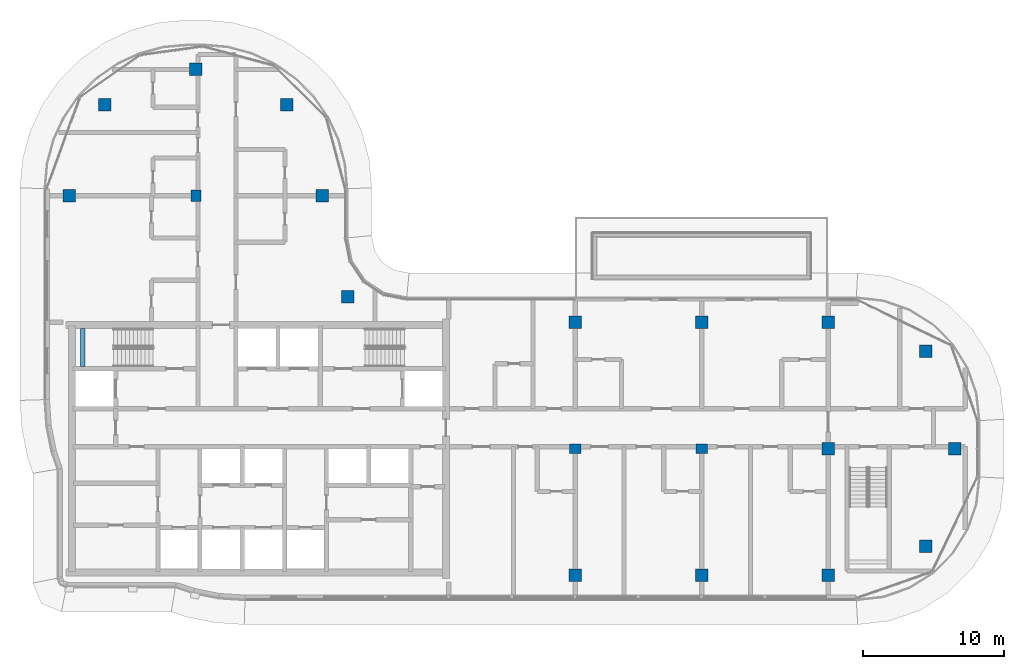
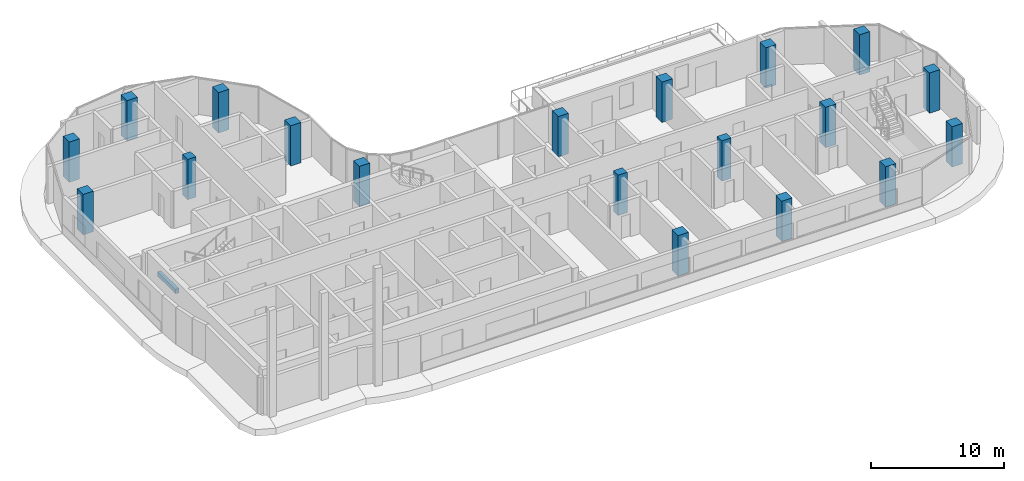
# One storey, part 1 of 20: 19 columns, 1 beam.
"""IFC4 building model written with IfcOpenShell, lengths in metres."""

from ifc_helpers import new_model, si_unit, direction, frame, origin, origin_2d, place, context, subcontext, project, spatial, rectangle, extrude, material, material_profile, profile_set, type_object, element, save


model = new_model("IFC4")

# Units and contexts
model_context = context("Model", 3, precision=1e-05, world=origin(), true_north=direction((0.0, 1.0)))
body_context = subcontext(model_context, "Body", "Model", "MODEL_VIEW")
ifc_project = project(units=[si_unit("LENGTHUNIT", "METRE"), si_unit("AREAUNIT", "SQUARE_METRE"), si_unit("VOLUMEUNIT", "CUBIC_METRE"), si_unit("PLANEANGLEUNIT", "RADIAN"), si_unit("MASSUNIT", "GRAM", prefix="KILO")], contexts=[model_context])

# Site, building, storey
site_placement = place(None, origin())
site = spatial("IfcSite", under=ifc_project, at=site_placement, CompositionType="ELEMENT")
building_placement = place(site_placement, origin())
building = spatial("IfcBuilding", under=site, at=building_placement, Name="Ogive Portal Towers", CompositionType="ELEMENT")
storey_placement = place(building_placement, frame((0.0, 0.0, 195.800048828125)))
storey = spatial("IfcBuildingStorey", under=building, at=storey_placement, Name="L48", CompositionType="ELEMENT", Elevation=195.800048828125)

# Columns
ifc_material_1 = material(Name="Concrete C60/75", Category="concrete")
ifc_material_profile_1 = material_profile(ifc_material_1, rectangle(XDim=0.800048828125, YDim=0.699951171875, at=origin_2d()), Name="RC 800x700")
ifc_profile_set_1 = profile_set([ifc_material_profile_1], Name="Concrete C60/75")
column_type_1 = type_object("IfcColumnType", Name="COLUMN RC 800x700", PredefinedType="COLUMN", material=ifc_profile_set_1)
for number, where, z_axis, x_axis, name in (
    (1, (67.5, 30.5, 0.0), (0.0, 0.0, 1.0), (1.0, 0.0, 0.0), "Column 5/B L48"),
    (2, (76.5, 30.5, 0.0), (0.0, 0.0, 1.0), (1.0, 0.0, 0.0), "Column 6/B L48"),
    (3, (40.5, 48.5, 0.0), (0.0, 0.0, 1.0), (0.0, 1.0, 0.0), "Column 2/D L48"),
):
    element("IfcColumn", number, at=place(storey_placement, frame(where, z_axis=z_axis, x_axis=x_axis)), inside=storey, type_object=column_type_1, Name=name, PredefinedType="COLUMN", context=body_context, shape_type="SweptSolid", body=[
        extrude(rectangle(XDim=0.800048828125, YDim=0.699951171875, at=origin_2d()), origin(), (0.0, 0.0, 1.0), 3.699951171875),
    ])
ifc_material_profile_2 = material_profile(ifc_material_1, rectangle(XDim=0.89990234375, YDim=0.89990234375, at=origin_2d()), Name="RC 900x900")
ifc_profile_set_2 = profile_set([ifc_material_profile_2], Name="Concrete C60/75")
column_type_2 = type_object("IfcColumnType", Name="COLUMN RC 900x900", PredefinedType="COLUMN", material=ifc_profile_set_2)
for number, where, z_axis, x_axis, name in (
    (4, (67.5, 21.5, 0.0), (0.0, 0.0, 1.0), (1.0, 0.0, 0.0), "Column 5/A L48"),
    (5, (76.5, 21.5, 0.0), (0.0, 0.0, 1.0), (1.0, 0.0, 0.0), "Column 6/A L48"),
    (6, (85.5, 21.5, 0.0), (0.0, 0.0, 1.0), (1.0, 0.0, 0.0), "Column 7/A L48"),
    (7, (92.449951171875, 23.550048828125, 0.0), (0.0, 0.0, 1.0), (1.0, 0.0, 0.0), "Column L48"),
    (8, (85.5, 30.5, 0.0), (0.0, 0.0, 1.0), (1.0, 0.0, 0.0), "Column 7/B L48"),
    (9, (94.5, 30.5, 0.0), (0.0, 0.0, 1.0), (1.0, 0.0, 0.0), "Column 8/B L48"),
    (10, (92.449951171875, 37.449951171875, 0.0), (0.0, 0.0, 1.0), (1.0, 0.0, 0.0), "Column L48"),
    (11, (67.5, 39.5, 0.0), (0.0, 0.0, 1.0), (1.0, 0.0, 0.0), "Column 5/C L48"),
    (12, (76.5, 39.5, 0.0), (0.0, 0.0, 1.0), (1.0, 0.0, 0.0), "Column 6/C L48"),
    (13, (85.5, 39.5, 0.0), (0.0, 0.0, 1.0), (1.0, 0.0, 0.0), "Column 7/C L48"),
    (14, (51.31005859375, 41.31005859375, 0.0), (0.0, 0.0, 1.0), (1.0, 0.0, 0.0), "Column L48"),
    (15, (31.5, 48.5, 0.0), (0.0, 0.0, 1.0), (1.0, 0.0, 0.0), "Column 1/D L48"),
    (16, (49.5, 48.5, 0.0), (0.0, 0.0, 1.0), (1.0, 0.0, 0.0), "Column 3/D L48"),
    (17, (34.027099609375, 54.972900390625, 0.0), (0.0, 0.0, 1.0), (1.0, 0.0, 0.0), "Column L48"),
    (18, (46.972900390625, 54.972900390625, 0.0), (0.0, 0.0, 1.0), (1.0, 0.0, 0.0), "Column L48"),
    (19, (40.5, 57.5, 0.0), (0.0, 0.0, 1.0), (1.0, 0.0, 0.0), "Column 2/E L48"),
):
    element("IfcColumn", number, at=place(storey_placement, frame(where, z_axis=z_axis, x_axis=x_axis)), inside=storey, type_object=column_type_2, Name=name, PredefinedType="COLUMN", context=body_context, shape_type="SweptSolid", body=[
        extrude(rectangle(XDim=0.89990234375, YDim=0.89990234375, at=origin_2d()), origin(), (0.0, 0.0, 1.0), 3.699951171875),
    ])

# Beam
ifc_material_2 = material(Name="Concrete C40/50", Category="concrete")
ifc_material_profile_3 = material_profile(ifc_material_2, rectangle(XDim=0.300048828125, YDim=0.39990234375, at=origin_2d()), Name="RC 300x400")
ifc_profile_set_3 = profile_set([ifc_material_profile_3], Name="Concrete C40/50")
beam_type = type_object("IfcBeamType", Name="BEAM RC 300x400", PredefinedType="BEAM", material=ifc_profile_set_3)
beam_placement = place(storey_placement, frame((32.449951171875, 36.35009765625, 1.449951171875), z_axis=(0.0, 1.0, 0.0), x_axis=(-1.0, 0.0, 0.0)))
element("IfcBeam", 20, at=beam_placement, inside=storey, type_object=beam_type, Name="Landing beam L48", PredefinedType="BEAM", context=body_context, shape_type="SweptSolid", body=[
    extrude(rectangle(XDim=0.300048828125, YDim=0.39990234375, at=origin_2d()), origin(), (0.0, 0.0, 1.0), 2.699951171875),
])

save(model, "model.ifc")
